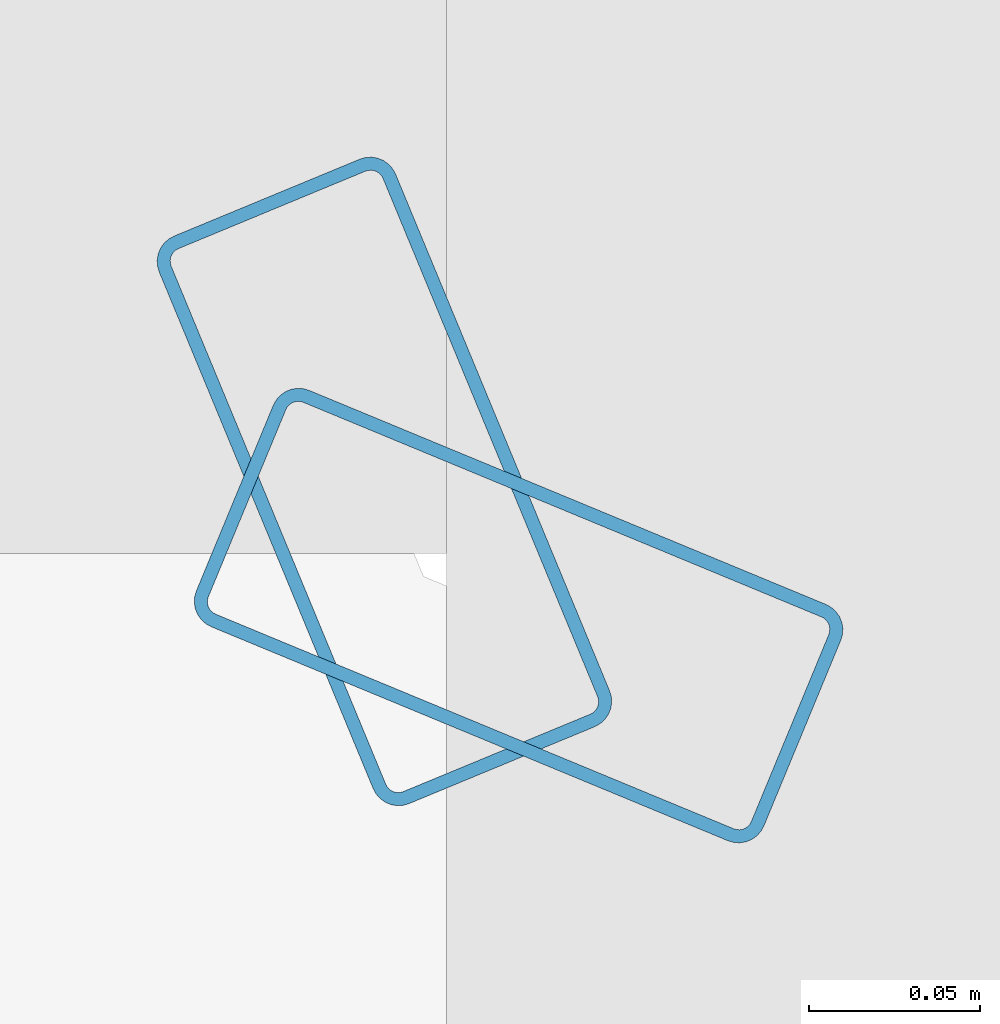
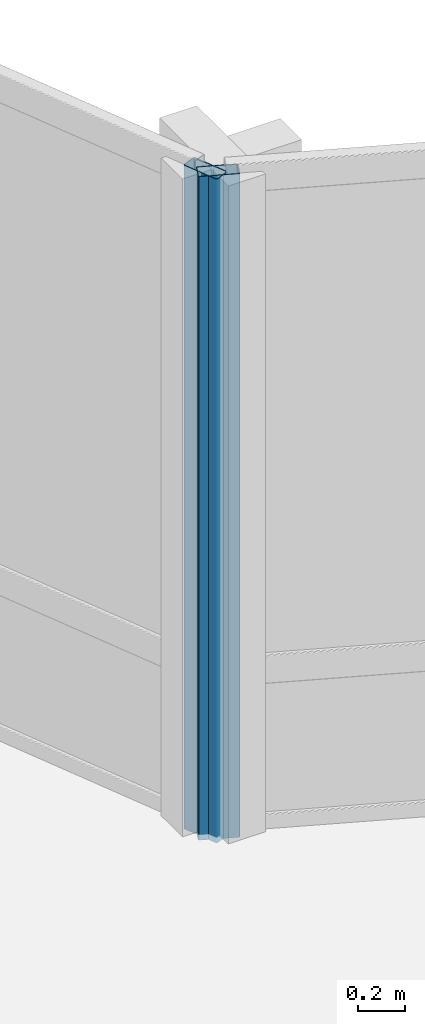
# One storey, part 8 of 27: 2 members, 2 elements without a shape of their own.
"""IFC4 building model written with IfcOpenShell, lengths in metres."""

import ifcopenshell
import ifcopenshell.guid

model = None  # the IFC model being written
_history = None  # IfcOwnerHistory: only IFC2X3 demands one
_inside = {}  # id of a spatial element -> (the spatial element, [elements in it])
_under = {}  # id of a project, library or spatial element -> (it, [spatial elements below it])
_declared = {}  # id of a project -> (the project, [libraries it declares])
_typed = {}  # id of a type object -> (the type object, [elements of that type])
_made_of = {}  # id of a material, layer set ... -> (it, [elements and type objects made of it])


def new_model(schema):
    """Start an empty IFC model of exactly this schema.

    Asked for "IFC4X3", IfcOpenShell would pick the latest addendum, in which some entities
    have other attributes; the version numbers below select the first issue.
    IFC2X3 requires an IfcOwnerHistory on every rooted entity: one is made here for all.
    """
    global model, _history
    if schema == "IFC4X3":
        model = ifcopenshell.file(schema_version=(4, 3, 0, 0))
    else:
        model = ifcopenshell.file(schema=schema)
    _inside.clear()
    _under.clear()
    _declared.clear()
    _typed.clear()
    _made_of.clear()
    _history = None
    if model.schema == "IFC2X3":
        org = make("IfcOrganization", Name="unknown")
        user = make(
            "IfcPersonAndOrganization",
            ThePerson=make("IfcPerson", FamilyName="unknown"),
            TheOrganization=org,
        )
        app = make(
            "IfcApplication",
            ApplicationDeveloper=org,
            Version="unknown",
            ApplicationFullName="unknown",
            ApplicationIdentifier="unknown",
        )
        _history = make(
            "IfcOwnerHistory",
            OwningUser=user,
            OwningApplication=app,
            ChangeAction="ADDED",
            CreationDate=0,
        )
    return model


def make(cls, **values):
    """One entity of the class cls with the attributes given. An attribute that is None is left unset."""
    return model.create_entity(
        cls, **{name: value for name, value in values.items() if value is not None}
    )


def rooted(cls, **values):
    """An entity with a GlobalId (a new one), such as an element, a storey or a relation."""
    return make(cls, GlobalId=ifcopenshell.guid.new(), OwnerHistory=_history, **values)


def si_unit(unit_type, name, prefix=None):
    """IfcSIUnit, for example si_unit("LENGTHUNIT", "METRE", prefix="MILLI")."""
    return make("IfcSIUnit", UnitType=unit_type, Prefix=prefix, Name=name)


def assignment(units):
    """IfcUnitAssignment: the units of a project."""
    return None if units is None else make("IfcUnitAssignment", Units=units)


def point(xyz):
    """IfcCartesianPoint."""
    return None if xyz is None else make("IfcCartesianPoint", Coordinates=xyz)


def direction(xyz):
    """IfcDirection."""
    return None if xyz is None else make("IfcDirection", DirectionRatios=xyz)


def frame(location, z_axis=None, x_axis=None):
    """IfcAxis2Placement3D, a coordinate frame: its origin and axes. An axis left out is left unset."""
    return make(
        "IfcAxis2Placement3D",
        Location=point(location),
        Axis=direction(z_axis),
        RefDirection=direction(x_axis),
    )


def frame_2d(location, x_axis=None):
    """IfcAxis2Placement2D, a coordinate frame in the plane: its origin and x axis."""
    return make(
        "IfcAxis2Placement2D", Location=point(location), RefDirection=direction(x_axis)
    )


def origin():
    """The frame at (0, 0, 0) with its axes left unset."""
    return frame((0.0, 0.0, 0.0))


def origin_2d():
    """The frame at (0, 0) in the plane with its x axis left unset."""
    return frame_2d((0.0, 0.0))


def place(relative_to, where):
    """IfcLocalPlacement: puts the frame where relative to a parent placement (None: the world)."""
    return make(
        "IfcLocalPlacement", PlacementRelTo=relative_to, RelativePlacement=where
    )


def context(
    kind, dimensions, precision=None, world=None, true_north=None, identifier=None
):
    """IfcGeometricRepresentationContext, for example the 3D "Model" context."""
    return make(
        "IfcGeometricRepresentationContext",
        ContextIdentifier=identifier,
        ContextType=kind,
        CoordinateSpaceDimension=dimensions,
        Precision=precision,
        WorldCoordinateSystem=world,
        TrueNorth=true_north,
    )


def subcontext(parent, identifier, kind, view, scale=None):
    """IfcGeometricRepresentationSubContext, for example "Body" below "Model"."""
    return make(
        "IfcGeometricRepresentationSubContext",
        ContextIdentifier=identifier,
        ContextType=kind,
        ParentContext=parent,
        TargetScale=scale,
        TargetView=view,
    )


def project(units=None, contexts=None):
    """IfcProject with its units and contexts."""
    return rooted(
        "IfcProject",
        Name="project",
        RepresentationContexts=contexts,
        UnitsInContext=assignment(units),
    )


def spatial(cls, under=None, at=None, **own):
    """A site, building, storey or space (cls), placed at a placement, below another one or the project."""
    s = rooted(cls, ObjectPlacement=at, **own)
    if under is not None:
        _under.setdefault(under.id(), (under, []))[1].append(s)
    return s


def profile(cls, at=None, kind="AREA", **sizes):
    """A parametric profile (cls). Its sizes go by their IFC names, for example OverallWidth=200.0."""
    return make(cls, ProfileType=kind, Position=at, **sizes)


def hollow_rectangle(**sizes):
    """IfcRectangleHollowProfileDef."""
    return profile("IfcRectangleHollowProfileDef", **sizes)


def extrude(swept, where, along, depth):
    """IfcExtrudedAreaSolid: the profile swept, set in the frame where, extruded along a direction by depth."""
    return make(
        "IfcExtrudedAreaSolid",
        SweptArea=swept,
        Position=where,
        ExtrudedDirection=direction(along),
        Depth=depth,
    )


def shape(context_of_items, identifier, shape_type, items):
    """IfcShapeRepresentation: the items that make up one representation, for example the "Body"."""
    return make(
        "IfcShapeRepresentation",
        ContextOfItems=context_of_items,
        RepresentationIdentifier=identifier,
        RepresentationType=shape_type,
        Items=items,
    )


def material(Name=None, Category=None):
    """IfcMaterial."""
    return make("IfcMaterial", Name=Name, Category=Category)


def layer(
    of_material, thickness, ventilated=None, Name=None, Category=None, Priority=None
):
    """IfcMaterialLayer: one layer of a wall or slab, of a material (None: an air gap)."""
    return make(
        "IfcMaterialLayer",
        Material=of_material,
        LayerThickness=thickness,
        IsVentilated=ventilated,
        Name=Name,
        Category=Category,
        Priority=Priority,
    )


def layer_set(layers, Name=None):
    """IfcMaterialLayerSet."""
    return make("IfcMaterialLayerSet", MaterialLayers=layers, LayerSetName=Name)


def material_profile(
    of_material, cross_section, Name=None, Category=None, Priority=None
):
    """IfcMaterialProfile: a cross section and its material."""
    return make(
        "IfcMaterialProfile",
        Name=Name,
        Material=of_material,
        Profile=cross_section,
        Priority=Priority,
        Category=Category,
    )


def profile_set(profiles, Name=None, composite=None):
    """IfcMaterialProfileSet."""
    return make(
        "IfcMaterialProfileSet",
        Name=Name,
        MaterialProfiles=profiles,
        CompositeProfile=composite,
    )


def made_of(thing, what):
    """Note that an element or type object is made of a material, layer set ...; save() writes the relation."""
    if what is not None:
        _made_of.setdefault(what.id(), (what, []))[1].append(thing)
    return thing


def type_object(cls, material=None, **own):
    """A type object (cls), such as IfcWallType, which elements share."""
    return made_of(rooted(cls, **own), material)


def element(
    cls,
    number,
    at=None,
    inside=None,
    cuts=None,
    type_object=None,
    material=None,
    context=None,
    identifier="Body",
    shape_type=None,
    held_by="IfcProductDefinitionShape",
    body=None,
    shapes=None,
    **own,
):
    """One element of the class cls, such as IfcWall. Its Tag is "e" and its number.

    at: its placement. inside: the storey or other place that contains it. cuts: it is an
    opening in that element (IfcRelVoidsElement). A single representation is given by context,
    identifier, shape_type and body (its items); several are given by shapes. held_by: the class
    of the entity that holds the representations. save() writes the other relations.
    """
    e = rooted(cls, Tag="e%d" % number, ObjectPlacement=at, **own)
    if body is not None:
        shapes = [shape(context, identifier, shape_type, body)]
    if shapes is not None:
        e.Representation = make(held_by, Representations=shapes)
    if inside is not None:
        _inside.setdefault(inside.id(), (inside, []))[1].append(e)
    if cuts is not None:
        rooted(
            "IfcRelVoidsElement", RelatingBuildingElement=cuts, RelatedOpeningElement=e
        )
    if type_object is not None:
        _typed.setdefault(type_object.id(), (type_object, []))[1].append(e)
    return made_of(e, material)


def aggregate(whole, parts):
    """IfcRelAggregates: a whole, such as a stair, and the parts it consists of."""
    return rooted("IfcRelAggregates", RelatingObject=whole, RelatedObjects=parts)


def save(model, path):
    """Write the relations noted so far, then the file.

    IfcRelAggregates (storeys below a building ...), IfcRelContainedInSpatialStructure (elements
    in a storey), IfcRelDefinesByType, IfcRelAssociatesMaterial and IfcRelDeclares: one each for
    every whole, place, type object, material and project.
    """
    for whole, parts in _under.values():
        aggregate(whole, parts)
    for where, things in _inside.values():
        rooted(
            "IfcRelContainedInSpatialStructure",
            RelatedElements=things,
            RelatingStructure=where,
        )
    for kind, things in _typed.values():
        rooted("IfcRelDefinesByType", RelatedObjects=things, RelatingType=kind)
    for what, things in _made_of.values():
        rooted("IfcRelAssociatesMaterial", RelatedObjects=things, RelatingMaterial=what)
    for by, libraries in _declared.values():
        rooted("IfcRelDeclares", RelatingContext=by, RelatedDefinitions=libraries)
    model.write(path)


model = new_model("IFC4")

# Units and contexts
model_context = context("Model", 3, precision=1e-05, world=origin(), true_north=direction((0.0, 1.0)))
body_context = subcontext(model_context, "Body", "Model", "MODEL_VIEW")
ifc_project = project(units=[si_unit("LENGTHUNIT", "METRE"), si_unit("AREAUNIT", "SQUARE_METRE"), si_unit("VOLUMEUNIT", "CUBIC_METRE"), si_unit("PLANEANGLEUNIT", "RADIAN"), si_unit("MASSUNIT", "GRAM", prefix="KILO")], contexts=[model_context])

# Site, building, storey
site_placement = place(None, origin())
site = spatial("IfcSite", under=ifc_project, at=site_placement, CompositionType="ELEMENT")
building_placement = place(site_placement, origin())
building = spatial("IfcBuilding", under=site, at=building_placement, Name="Solvaryn Broadcast Tower", CompositionType="ELEMENT")
storey_placement = place(building_placement, frame((0.0, 0.0, 224.699951171875)))
storey = spatial("IfcBuildingStorey", under=building, at=storey_placement, Name="L56", CompositionType="ELEMENT", Elevation=224.699951171875)

# Curtain wall, member
ifc_material_1 = material(Name="Aluminium and Terracotta Unitised Curtain Wall", Category="masonry")
ifc_layer = layer(ifc_material_1, 0.199951171875)
ifc_layer_set = layer_set([ifc_layer], Name="CW-SYS2-LOWMID")
curtain_wall_type = type_object("IfcCurtainWallType", Name="CW-SYS2-LOWMID", PredefinedType="NOTDEFINED", material=ifc_layer_set)
curtain_wall_1_placement = place(storey_placement, origin())
curtain_wall_1 = element("IfcCurtainWall", 1, at=curtain_wall_1_placement, inside=storey, type_object=curtain_wall_type, Name="L56 Curtain Wall CN1", PredefinedType="NOTDEFINED")
ifc_material_2 = material(Name="Anodised Aluminium 6063-T6", Category="aluminium")
ifc_material_profile = material_profile(ifc_material_2, hollow_rectangle(XDim=0.074951171875, YDim=0.179931640625, WallThickness=0.00390625, InnerFilletRadius=0.00390625, OuterFilletRadius=0.008056640625, at=origin_2d()))
ifc_profile_set = profile_set([ifc_material_profile], Name="Anodised Aluminium 6063-T6")
member_type = type_object("IfcMemberType", Name="CW-MUL-180", PredefinedType="MULLION", material=ifc_profile_set)
member_1_placement = place(storey_placement, frame((30.395751953125, 30.3564453125, 0.0), z_axis=(0.0, 0.0, 1.0), x_axis=(-0.382646127145, -0.923894983957, 0.0)))
member_1 = element("IfcMember", 2, at=member_1_placement, type_object=member_type, Name="CWS2 mullion 2", PredefinedType="MULLION", context=body_context, shape_type="SweptSolid", body=[
    extrude(hollow_rectangle(XDim=0.074951171875, YDim=0.179931640625, WallThickness=0.00390625, InnerFilletRadius=0.00390625, OuterFilletRadius=0.008056640625, at=origin_2d()), origin(), (0.0, 0.0, 1.0), 3.420166015625),
])
aggregate(curtain_wall_1, [member_1])

curtain_wall_2_placement = place(storey_placement, origin())
curtain_wall_2 = element("IfcCurtainWall", 3, at=curtain_wall_2_placement, inside=storey, type_object=curtain_wall_type, Name="L56 Curtain Wall CN2", PredefinedType="NOTDEFINED")
member_2_placement = place(storey_placement, frame((30.3564453125, 30.395751953125, 0.0), z_axis=(0.0, 0.0, 1.0), x_axis=(-0.923894983957, -0.382646127145, 0.0)))
member_2 = element("IfcMember", 4, at=member_2_placement, type_object=member_type, Name="CWS2 mullion 1", PredefinedType="MULLION", context=body_context, shape_type="SweptSolid", body=[
    extrude(hollow_rectangle(XDim=0.074951171875, YDim=0.179931640625, WallThickness=0.00390625, InnerFilletRadius=0.00390625, OuterFilletRadius=0.008056640625, at=origin_2d()), origin(), (0.0, 0.0, 1.0), 3.420166015625),
])
aggregate(curtain_wall_2, [member_2])

save(model, "model.ifc")
